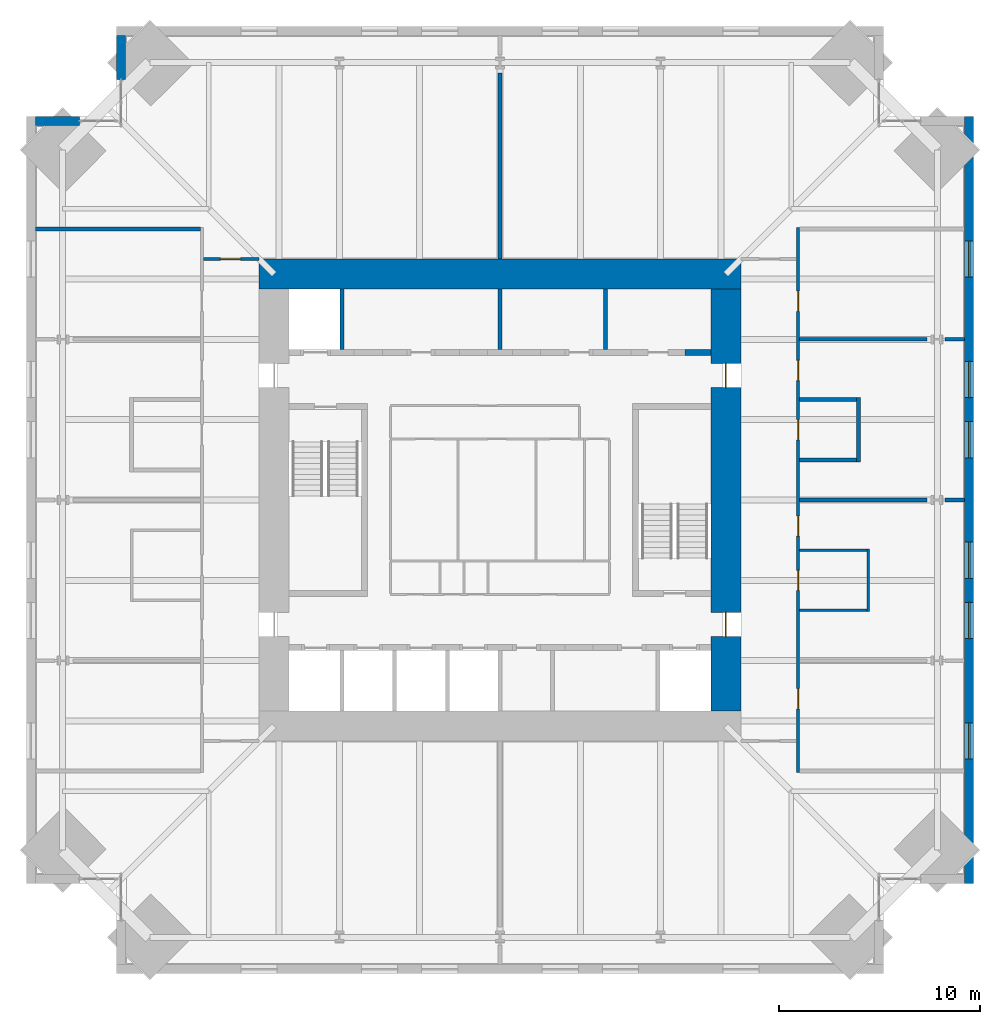
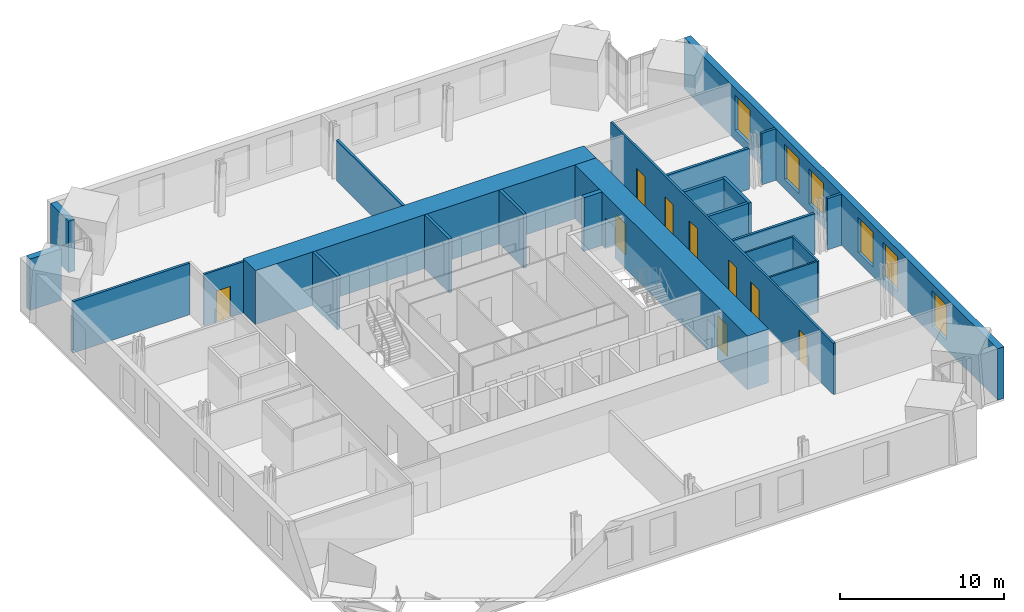
# One storey, part 13 of 15: 23 walls, 9 doors, 6 windows, 15 openings.
"""IFC4 building model written with IfcOpenShell, lengths in metres."""

from ifc_helpers import new_model, si_unit, direction, frame, frame_2d, origin, place, context, subcontext, project, spatial, rectangle, extrude, material, layer, layer_set, type_object, element, fill, save


model = new_model("IFC4")

# Units and contexts
model_context = context("Model", 3, precision=1e-05, world=origin(), true_north=direction((0.0, 1.0)))
body_context = subcontext(model_context, "Body", "Model", "MODEL_VIEW")
ifc_project = project(units=[si_unit("LENGTHUNIT", "METRE"), si_unit("AREAUNIT", "SQUARE_METRE"), si_unit("VOLUMEUNIT", "CUBIC_METRE"), si_unit("PLANEANGLEUNIT", "RADIAN"), si_unit("MASSUNIT", "GRAM", prefix="KILO")], contexts=[model_context])

# Site, building, storey
site_placement = place(None, origin())
site = spatial("IfcSite", under=ifc_project, at=site_placement, CompositionType="ELEMENT")
building_placement = place(site_placement, origin())
building = spatial("IfcBuilding", under=site, at=building_placement, Name="Peilmerk Tower", CompositionType="ELEMENT")
storey_placement = place(building_placement, frame((0.0, 0.0, 225.800048828125)))
storey = spatial("IfcBuildingStorey", under=building, at=storey_placement, Name="L49", CompositionType="ELEMENT", Elevation=225.800048828125)

# Wall, openings, windows
ifc_material_1 = material(Name="Precast concrete C45/55, board-marked finish", Category="concrete")
ifc_layer_1 = layer(ifc_material_1, 0.449951171875)
ifc_layer_set_1 = layer_set([ifc_layer_1], Name="Precast concrete C45/55, board-marked finish")
wall_type_1 = type_object("IfcWallType", Name="EW1 450 precast concrete facade wall, board-marked", PredefinedType="SOLIDWALL", material=ifc_layer_set_1)
wall_1_placement = place(storey_placement, frame((23.375, -19.10009765625, 0.0), z_axis=(0.0, 0.0, 1.0), x_axis=(0.0, 1.0, 0.0)))
wall_1 = element("IfcWall", 1, at=wall_1_placement, inside=storey, type_object=wall_type_1, Name="Facade wall E L49", PredefinedType="SOLIDWALL", context=body_context, shape_type="SweptSolid", body=[
    extrude(rectangle(XDim=38.2001953125, YDim=0.449951171875, at=frame_2d((19.10009765625, 0.0))), origin(), (0.0, 0.0, 1.0), 3.829833984375),
])
opening_1_placement = place(wall_1_placement, frame((6.199951171875, 0.0, 0.699951171875)))
opening_1 = element("IfcOpeningElement", 2, at=opening_1_placement, cuts=wall_1, Name="Opening W1", PredefinedType="OPENING", context=body_context, shape_type="SweptSolid", body=[
    extrude(rectangle(XDim=1.800048828125, YDim=2.60009765625, at=frame_2d((0.89990234375, 1.300048828125))), frame((0.0, 0.23486328125, 0.0), z_axis=(0.0, -1.0, 0.0), x_axis=(1.0, 0.0, 0.0)), (0.0, 0.0, 1.0), 0.469970703125),
])
opening_2_placement = place(wall_1_placement, frame((12.199951171875, 0.0, 0.699951171875)))
opening_2 = element("IfcOpeningElement", 3, at=opening_2_placement, cuts=wall_1, Name="Opening W1", PredefinedType="OPENING", context=body_context, shape_type="SweptSolid", body=[
    extrude(rectangle(XDim=1.800048828125, YDim=2.60009765625, at=frame_2d((0.89990234375, 1.300048828125))), frame((0.0, 0.23486328125, 0.0), z_axis=(0.0, -1.0, 0.0), x_axis=(1.0, 0.0, 0.0)), (0.0, 0.0, 1.0), 0.469970703125),
])
opening_3_placement = place(wall_1_placement, frame((15.199951171875, 0.0, 0.699951171875)))
opening_3 = element("IfcOpeningElement", 4, at=opening_3_placement, cuts=wall_1, Name="Opening W1", PredefinedType="OPENING", context=body_context, shape_type="SweptSolid", body=[
    extrude(rectangle(XDim=1.800048828125, YDim=2.60009765625, at=frame_2d((0.89990234375, 1.300048828125))), frame((0.0, 0.23486328125, 0.0), z_axis=(0.0, -1.0, 0.0), x_axis=(1.0, 0.0, 0.0)), (0.0, 0.0, 1.0), 0.469970703125),
])
opening_4_placement = place(wall_1_placement, frame((21.199951171875, 0.0, 0.699951171875)))
opening_4 = element("IfcOpeningElement", 5, at=opening_4_placement, cuts=wall_1, Name="Opening W1", PredefinedType="OPENING", context=body_context, shape_type="SweptSolid", body=[
    extrude(rectangle(XDim=1.800048828125, YDim=2.60009765625, at=frame_2d((0.89990234375, 1.300048828125))), frame((0.0, 0.23486328125, 0.0), z_axis=(0.0, -1.0, 0.0), x_axis=(1.0, 0.0, 0.0)), (0.0, 0.0, 1.0), 0.469970703125),
])
opening_5_placement = place(wall_1_placement, frame((24.199951171875, 0.0, 0.699951171875)))
opening_5 = element("IfcOpeningElement", 6, at=opening_5_placement, cuts=wall_1, Name="Opening W1", PredefinedType="OPENING", context=body_context, shape_type="SweptSolid", body=[
    extrude(rectangle(XDim=1.800048828125, YDim=2.60009765625, at=frame_2d((0.89990234375, 1.300048828125))), frame((0.0, 0.23486328125, 0.0), z_axis=(0.0, -1.0, 0.0), x_axis=(1.0, 0.0, 0.0)), (0.0, 0.0, 1.0), 0.469970703125),
])
opening_6_placement = place(wall_1_placement, frame((30.199951171875, 0.0, 0.699951171875)))
opening_6 = element("IfcOpeningElement", 7, at=opening_6_placement, cuts=wall_1, Name="Opening W1", PredefinedType="OPENING", context=body_context, shape_type="SweptSolid", body=[
    extrude(rectangle(XDim=1.800048828125, YDim=2.60009765625, at=frame_2d((0.89990234375, 1.300048828125))), frame((0.0, 0.23486328125, 0.0), z_axis=(0.0, -1.0, 0.0), x_axis=(1.0, 0.0, 0.0)), (0.0, 0.0, 1.0), 0.469970703125),
])
ifc_material_2 = material(Name="Aluminium frame, clear double glazing", Category="aluminium")
window_type = type_object("IfcWindowType", Name="W1 1800x2600 office window", PartitioningType="SINGLE_PANEL", PredefinedType="WINDOW", material=ifc_material_2)
window_1_placement = place(opening_1_placement, origin())
window_1 = element("IfcWindow", 8, at=window_1_placement, inside=storey, type_object=window_type, Name="Window W1 L49", OverallHeight=2.60009765625, OverallWidth=1.800048828125, PartitioningType="SINGLE_PANEL", PredefinedType="WINDOW", context=body_context, shape_type="SweptSolid", body=[
    extrude(rectangle(XDim=1.800048828125, YDim=2.60009765625, at=frame_2d((0.89990234375, 1.300048828125))), frame((0.0, 0.030029296875, 0.0), z_axis=(0.0, -1.0, 0.0), x_axis=(1.0, 0.0, 0.0)), (0.0, 0.0, 1.0), 0.06005859375),
])
fill(opening_1, window_1)
window_2_placement = place(opening_2_placement, origin())
window_2 = element("IfcWindow", 9, at=window_2_placement, inside=storey, type_object=window_type, Name="Window W1 L49", OverallHeight=2.60009765625, OverallWidth=1.800048828125, PartitioningType="SINGLE_PANEL", PredefinedType="WINDOW", context=body_context, shape_type="SweptSolid", body=[
    extrude(rectangle(XDim=1.800048828125, YDim=2.60009765625, at=frame_2d((0.89990234375, 1.300048828125))), frame((0.0, 0.030029296875, 0.0), z_axis=(0.0, -1.0, 0.0), x_axis=(1.0, 0.0, 0.0)), (0.0, 0.0, 1.0), 0.06005859375),
])
fill(opening_2, window_2)
window_3_placement = place(opening_3_placement, origin())
window_3 = element("IfcWindow", 10, at=window_3_placement, inside=storey, type_object=window_type, Name="Window W1 L49", OverallHeight=2.60009765625, OverallWidth=1.800048828125, PartitioningType="SINGLE_PANEL", PredefinedType="WINDOW", context=body_context, shape_type="SweptSolid", body=[
    extrude(rectangle(XDim=1.800048828125, YDim=2.60009765625, at=frame_2d((0.89990234375, 1.300048828125))), frame((0.0, 0.030029296875, 0.0), z_axis=(0.0, -1.0, 0.0), x_axis=(1.0, 0.0, 0.0)), (0.0, 0.0, 1.0), 0.06005859375),
])
fill(opening_3, window_3)
window_4_placement = place(opening_4_placement, origin())
window_4 = element("IfcWindow", 11, at=window_4_placement, inside=storey, type_object=window_type, Name="Window W1 L49", OverallHeight=2.60009765625, OverallWidth=1.800048828125, PartitioningType="SINGLE_PANEL", PredefinedType="WINDOW", context=body_context, shape_type="SweptSolid", body=[
    extrude(rectangle(XDim=1.800048828125, YDim=2.60009765625, at=frame_2d((0.89990234375, 1.300048828125))), frame((0.0, 0.030029296875, 0.0), z_axis=(0.0, -1.0, 0.0), x_axis=(1.0, 0.0, 0.0)), (0.0, 0.0, 1.0), 0.06005859375),
])
fill(opening_4, window_4)
window_5_placement = place(opening_5_placement, origin())
window_5 = element("IfcWindow", 12, at=window_5_placement, inside=storey, type_object=window_type, Name="Window W1 L49", OverallHeight=2.60009765625, OverallWidth=1.800048828125, PartitioningType="SINGLE_PANEL", PredefinedType="WINDOW", context=body_context, shape_type="SweptSolid", body=[
    extrude(rectangle(XDim=1.800048828125, YDim=2.60009765625, at=frame_2d((0.89990234375, 1.300048828125))), frame((0.0, 0.030029296875, 0.0), z_axis=(0.0, -1.0, 0.0), x_axis=(1.0, 0.0, 0.0)), (0.0, 0.0, 1.0), 0.06005859375),
])
fill(opening_5, window_5)
window_6_placement = place(opening_6_placement, origin())
window_6 = element("IfcWindow", 13, at=window_6_placement, inside=storey, type_object=window_type, Name="Window W1 L49", OverallHeight=2.60009765625, OverallWidth=1.800048828125, PartitioningType="SINGLE_PANEL", PredefinedType="WINDOW", context=body_context, shape_type="SweptSolid", body=[
    extrude(rectangle(XDim=1.800048828125, YDim=2.60009765625, at=frame_2d((0.89990234375, 1.300048828125))), frame((0.0, 0.030029296875, 0.0), z_axis=(0.0, -1.0, 0.0), x_axis=(1.0, 0.0, 0.0)), (0.0, 0.0, 1.0), 0.06005859375),
])
fill(opening_6, window_6)

# Walls
for number, where, z_axis, x_axis, name in (
    (14, (-18.875, 20.95361328125, 0.0), (0.0, 0.0, 1.0), (0.0, 1.0, 0.0), "Facade wall NWA L49"),
    (15, (-20.95361328125, 18.875, 0.0), (0.0, 0.0, 1.0), (-1.0, 0.0, 0.0), "Facade wall NWB L49"),
):
    element("IfcWall", number, at=place(storey_placement, frame(where, z_axis=z_axis, x_axis=x_axis)), inside=storey, type_object=wall_type_1, Name=name, PredefinedType="SOLIDWALL", context=body_context, shape_type="SweptSolid", body=[
        extrude(rectangle(XDim=2.1962890625, YDim=0.449951171875, at=frame_2d((1.09814453125, 0.0))), origin(), (0.0, 0.0, 1.0), 3.829833984375),
    ])

# Wall, openings, doors
ifc_material_3 = material(Name="Calcium silicate block", Category="masonry")
ifc_layer_2 = layer(ifc_material_3, 0.14990234375)
ifc_layer_set_2 = layer_set([ifc_layer_2], Name="Calcium silicate block")
wall_type_2 = type_object("IfcWallType", Name="IW1 150 corridor partition, EI 60", PredefinedType="PARTITIONING", material=ifc_layer_set_2)
wall_2_placement = place(storey_placement, frame((14.85009765625, -13.574951171875, 0.0), z_axis=(0.0, 0.0, 1.0), x_axis=(0.0, 1.0, 0.0)))
wall_2 = element("IfcWall", 16, at=wall_2_placement, inside=storey, type_object=wall_type_2, Name="Corridor wall E L49", PredefinedType="PARTITIONING", context=body_context, shape_type="SweptSolid", body=[
    extrude(rectangle(XDim=27.14990234375, YDim=0.14990234375, at=frame_2d((13.574951171875, 0.0))), origin(), (0.0, 0.0, 1.0), 3.829833984375),
])
opening_7_placement = place(wall_2_placement, frame((3.175048828125, 0.0, 0.0)))
opening_7 = element("IfcOpeningElement", 17, at=opening_7_placement, cuts=wall_2, Name="Opening D1", PredefinedType="OPENING", context=body_context, shape_type="SweptSolid", body=[
    extrude(rectangle(XDim=1.0, YDim=2.300048828125, at=frame_2d((0.5, 1.14990234375))), frame((0.0, 0.0849609375, 0.0), z_axis=(0.0, -1.0, 0.0), x_axis=(1.0, 0.0, 0.0)), (0.0, 0.0, 1.0), 0.169921875),
])
opening_8_placement = place(wall_2_placement, frame((11.77490234375, 0.0, 0.0)))
opening_8 = element("IfcOpeningElement", 18, at=opening_8_placement, cuts=wall_2, Name="Opening D1", PredefinedType="OPENING", context=body_context, shape_type="SweptSolid", body=[
    extrude(rectangle(XDim=1.0, YDim=2.300048828125, at=frame_2d((0.5, 1.14990234375))), frame((0.0, 0.0849609375, 0.0), z_axis=(0.0, -1.0, 0.0), x_axis=(1.0, 0.0, 0.0)), (0.0, 0.0, 1.0), 0.169921875),
])
opening_9_placement = place(wall_2_placement, frame((19.52490234375, 0.0, 0.0)))
opening_9 = element("IfcOpeningElement", 19, at=opening_9_placement, cuts=wall_2, Name="Opening D1", PredefinedType="OPENING", context=body_context, shape_type="SweptSolid", body=[
    extrude(rectangle(XDim=1.0, YDim=2.300048828125, at=frame_2d((0.5, 1.14990234375))), frame((0.0, 0.0849609375, 0.0), z_axis=(0.0, -1.0, 0.0), x_axis=(1.0, 0.0, 0.0)), (0.0, 0.0, 1.0), 0.169921875),
])
opening_10_placement = place(wall_2_placement, frame((22.97509765625, 0.0, 0.0)))
opening_10 = element("IfcOpeningElement", 20, at=opening_10_placement, cuts=wall_2, Name="Opening D1", PredefinedType="OPENING", context=body_context, shape_type="SweptSolid", body=[
    extrude(rectangle(XDim=1.0, YDim=2.300048828125, at=frame_2d((0.5, 1.14990234375))), frame((0.0, 0.0849609375, 0.0), z_axis=(0.0, -1.0, 0.0), x_axis=(1.0, 0.0, 0.0)), (0.0, 0.0, 1.0), 0.169921875),
])
opening_11_placement = place(wall_2_placement, frame((16.574951171875, 0.0, 0.0)))
opening_11 = element("IfcOpeningElement", 21, at=opening_11_placement, cuts=wall_2, Name="Opening D1", PredefinedType="OPENING", context=body_context, shape_type="SweptSolid", body=[
    extrude(rectangle(XDim=1.0, YDim=2.300048828125, at=frame_2d((0.5, 1.14990234375))), frame((0.0, 0.0849609375, 0.0), z_axis=(0.0, -1.0, 0.0), x_axis=(1.0, 0.0, 0.0)), (0.0, 0.0, 1.0), 0.169921875),
])
opening_12_placement = place(wall_2_placement, frame((9.074951171875, 0.0, 0.0)))
opening_12 = element("IfcOpeningElement", 22, at=opening_12_placement, cuts=wall_2, Name="Opening D1", PredefinedType="OPENING", context=body_context, shape_type="SweptSolid", body=[
    extrude(rectangle(XDim=1.0, YDim=2.300048828125, at=frame_2d((0.5, 1.14990234375))), frame((0.0, 0.0849609375, 0.0), z_axis=(0.0, -1.0, 0.0), x_axis=(1.0, 0.0, 0.0)), (0.0, 0.0, 1.0), 0.169921875),
])
ifc_material_4 = material(Name="Timber door in steel frame", Category="steel")
door_type_1 = type_object("IfcDoorType", Name="D1 1000x2300 room door, EI2 30", OperationType="SINGLE_SWING_LEFT", PredefinedType="DOOR", material=ifc_material_4)
door_1_placement = place(opening_7_placement, frame((1.0, 0.0, 0.0), z_axis=(0.0, 0.0, 1.0), x_axis=(-1.0, 0.0, 0.0)))
door_1 = element("IfcDoor", 23, at=door_1_placement, inside=storey, type_object=door_type_1, Name="Door Office L49", OperationType="SINGLE_SWING_LEFT", OverallHeight=2.300048828125, OverallWidth=1.0, PredefinedType="DOOR", context=body_context, shape_type="SweptSolid", body=[
    extrude(rectangle(XDim=1.0, YDim=2.300048828125, at=frame_2d((0.5, 1.14990234375))), frame((0.0, 0.02490234375, 0.0), z_axis=(0.0, -1.0, 0.0), x_axis=(1.0, 0.0, 0.0)), (0.0, 0.0, 1.0), 0.050048828125),
])
fill(opening_7, door_1)
door_2_placement = place(opening_8_placement, frame((1.0, 0.0, 0.0), z_axis=(0.0, 0.0, 1.0), x_axis=(-1.0, 0.0, 0.0)))
door_2 = element("IfcDoor", 24, at=door_2_placement, inside=storey, type_object=door_type_1, Name="Door Office L49", OperationType="SINGLE_SWING_LEFT", OverallHeight=2.300048828125, OverallWidth=1.0, PredefinedType="DOOR", context=body_context, shape_type="SweptSolid", body=[
    extrude(rectangle(XDim=1.0, YDim=2.300048828125, at=frame_2d((0.5, 1.14990234375))), frame((0.0, 0.02490234375, 0.0), z_axis=(0.0, -1.0, 0.0), x_axis=(1.0, 0.0, 0.0)), (0.0, 0.0, 1.0), 0.050048828125),
])
fill(opening_8, door_2)
door_3_placement = place(opening_9_placement, frame((1.0, 0.0, 0.0), z_axis=(0.0, 0.0, 1.0), x_axis=(-1.0, 0.0, 0.0)))
door_3 = element("IfcDoor", 25, at=door_3_placement, inside=storey, type_object=door_type_1, Name="Door Office L49", OperationType="SINGLE_SWING_LEFT", OverallHeight=2.300048828125, OverallWidth=1.0, PredefinedType="DOOR", context=body_context, shape_type="SweptSolid", body=[
    extrude(rectangle(XDim=1.0, YDim=2.300048828125, at=frame_2d((0.5, 1.14990234375))), frame((0.0, 0.02490234375, 0.0), z_axis=(0.0, -1.0, 0.0), x_axis=(1.0, 0.0, 0.0)), (0.0, 0.0, 1.0), 0.050048828125),
])
fill(opening_9, door_3)
door_4_placement = place(opening_10_placement, frame((1.0, 0.0, 0.0), z_axis=(0.0, 0.0, 1.0), x_axis=(-1.0, 0.0, 0.0)))
door_4 = element("IfcDoor", 26, at=door_4_placement, inside=storey, type_object=door_type_1, Name="Door Meeting room L49", OperationType="SINGLE_SWING_LEFT", OverallHeight=2.300048828125, OverallWidth=1.0, PredefinedType="DOOR", context=body_context, shape_type="SweptSolid", body=[
    extrude(rectangle(XDim=1.0, YDim=2.300048828125, at=frame_2d((0.5, 1.14990234375))), frame((0.0, 0.02490234375, 0.0), z_axis=(0.0, -1.0, 0.0), x_axis=(1.0, 0.0, 0.0)), (0.0, 0.0, 1.0), 0.050048828125),
])
fill(opening_10, door_4)
door_5_placement = place(opening_11_placement, frame((1.0, 0.0, 0.0), z_axis=(0.0, 0.0, 1.0), x_axis=(-1.0, 0.0, 0.0)))
door_5 = element("IfcDoor", 27, at=door_5_placement, inside=storey, type_object=door_type_1, Name="Door Print room L49", OperationType="SINGLE_SWING_LEFT", OverallHeight=2.300048828125, OverallWidth=1.0, PredefinedType="DOOR", context=body_context, shape_type="SweptSolid", body=[
    extrude(rectangle(XDim=1.0, YDim=2.300048828125, at=frame_2d((0.5, 1.14990234375))), frame((0.0, 0.02490234375, 0.0), z_axis=(0.0, -1.0, 0.0), x_axis=(1.0, 0.0, 0.0)), (0.0, 0.0, 1.0), 0.050048828125),
])
fill(opening_11, door_5)
door_6_placement = place(opening_12_placement, frame((1.0, 0.0, 0.0), z_axis=(0.0, 0.0, 1.0), x_axis=(-1.0, 0.0, 0.0)))
door_6 = element("IfcDoor", 28, at=door_6_placement, inside=storey, type_object=door_type_1, Name="Door Focus room L49", OperationType="SINGLE_SWING_LEFT", OverallHeight=2.300048828125, OverallWidth=1.0, PredefinedType="DOOR", context=body_context, shape_type="SweptSolid", body=[
    extrude(rectangle(XDim=1.0, YDim=2.300048828125, at=frame_2d((0.5, 1.14990234375))), frame((0.0, 0.02490234375, 0.0), z_axis=(0.0, -1.0, 0.0), x_axis=(1.0, 0.0, 0.0)), (0.0, 0.0, 1.0), 0.050048828125),
])
fill(opening_12, door_6)

# Wall, opening, door
wall_3_placement = place(storey_placement, frame((-14.77490234375, 12.0, 0.0), z_axis=(0.0, 0.0, 1.0), x_axis=(1.0, 0.0, 0.0)))
wall_3 = element("IfcWall", 29, at=wall_3_placement, inside=storey, type_object=wall_type_2, Name="Corridor wall NW L49", PredefinedType="PARTITIONING", context=body_context, shape_type="SweptSolid", body=[
    extrude(rectangle(XDim=2.77490234375, YDim=0.14990234375, at=frame_2d((1.387451171875, 0.0))), origin(), (0.0, 0.0, 1.0), 3.829833984375),
])
opening_13_placement = place(wall_3_placement, frame((0.85009765625, 0.0, 0.0)))
opening_13 = element("IfcOpeningElement", 30, at=opening_13_placement, cuts=wall_3, Name="Opening D1", PredefinedType="OPENING", context=body_context, shape_type="SweptSolid", body=[
    extrude(rectangle(XDim=1.0, YDim=2.300048828125, at=frame_2d((0.5, 1.14990234375))), frame((0.0, 0.0849609375, 0.0), z_axis=(0.0, -1.0, 0.0), x_axis=(1.0, 0.0, 0.0)), (0.0, 0.0, 1.0), 0.169921875),
])
door_7_placement = place(opening_13_placement, origin())
door_7 = element("IfcDoor", 31, at=door_7_placement, inside=storey, type_object=door_type_1, Name="Door Office L49", OperationType="SINGLE_SWING_LEFT", OverallHeight=2.300048828125, OverallWidth=1.0, PredefinedType="DOOR", context=body_context, shape_type="SweptSolid", body=[
    extrude(rectangle(XDim=1.0, YDim=2.300048828125, at=frame_2d((0.5, 1.14990234375))), frame((0.0, 0.02490234375, 0.0), z_axis=(0.0, -1.0, 0.0), x_axis=(1.0, 0.0, 0.0)), (0.0, 0.0, 1.0), 0.050048828125),
])
fill(opening_13, door_7)

# Walls
ifc_layer_3 = layer(ifc_material_3, 0.199951171875)
ifc_layer_set_3 = layer_set([ifc_layer_3], Name="Calcium silicate block")
wall_type_3 = type_object("IfcWallType", Name="IW2 200 room separating wall, EI 120", PredefinedType="PARTITIONING", material=ifc_layer_set_3)
wall_4_placement = place(storey_placement, frame((17.85009765625, 1.89990234375, 0.0), z_axis=(0.0, 0.0, 1.0), x_axis=(0.0, 1.0, 0.0)))
element("IfcWall", 32, at=wall_4_placement, inside=storey, type_object=wall_type_3, Name="Room separating wall Print room L49", PredefinedType="PARTITIONING", context=body_context, shape_type="SweptSolid", body=[
    extrude(rectangle(XDim=3.2001953125, YDim=0.199951171875, at=frame_2d((1.60009765625, 0.0))), origin(), (0.0, 0.0, 1.0), 3.829833984375),
])
for number, where, z_axis, x_axis, name in (
    (33, (14.925048828125, 2.0, 0.0), (0.0, 0.0, 1.0), (1.0, 0.0, 0.0), "Room separating wall Print room L49"),
    (34, (14.925048828125, 5.0, 0.0), (0.0, 0.0, 1.0), (1.0, 0.0, 0.0), "Room separating wall Print room L49"),
):
    element("IfcWall", number, at=place(storey_placement, frame(where, z_axis=z_axis, x_axis=x_axis)), inside=storey, type_object=wall_type_3, Name=name, PredefinedType="PARTITIONING", context=body_context, shape_type="SweptSolid", body=[
        extrude(rectangle(XDim=2.824951171875, YDim=0.199951171875, at=frame_2d((1.41259765625, 0.0))), origin(), (0.0, 0.0, 1.0), 3.829833984375),
    ])
ifc_material_5 = material(Name="Plasterboard on steel studs, double boarded with mineral wool", Category="steel")
ifc_layer_4 = layer(ifc_material_5, 0.125)
ifc_layer_set_4 = layer_set([ifc_layer_4], Name="Plasterboard on steel studs, double boarded with mineral wool")
wall_type_4 = type_object("IfcWallType", Name="IW7 125 acoustic partition, EI 30", PredefinedType="PARTITIONING", material=ifc_layer_set_4)
wall_5_placement = place(storey_placement, frame((18.35009765625, -5.5625, 0.0), z_axis=(0.0, 0.0, 1.0), x_axis=(0.0, 1.0, 0.0)))
element("IfcWall", 35, at=wall_5_placement, inside=storey, type_object=wall_type_4, Name="Acoustic partition Focus room L49", PredefinedType="PARTITIONING", context=body_context, shape_type="SweptSolid", body=[
    extrude(rectangle(XDim=3.125, YDim=0.125, at=frame_2d((1.5625, 0.0))), origin(), (0.0, 0.0, 1.0), 3.829833984375),
])
for number, where, z_axis, x_axis, name in (
    (36, (14.925048828125, -5.5, 0.0), (0.0, 0.0, 1.0), (1.0, 0.0, 0.0), "Acoustic partition Focus room L49"),
    (37, (14.925048828125, -2.5, 0.0), (0.0, 0.0, 1.0), (1.0, 0.0, 0.0), "Acoustic partition Focus room L49"),
):
    element("IfcWall", number, at=place(storey_placement, frame(where, z_axis=z_axis, x_axis=x_axis)), inside=storey, type_object=wall_type_4, Name=name, PredefinedType="PARTITIONING", context=body_context, shape_type="SweptSolid", body=[
        extrude(rectangle(XDim=3.362548828125, YDim=0.125, at=frame_2d((1.68115234375, 0.0))), origin(), (0.0, 0.0, 1.0), 3.829833984375),
    ])
ifc_layer_5 = layer(ifc_material_3, 0.175048828125)
ifc_layer_set_5 = layer_set([ifc_layer_5], Name="Calcium silicate block")
wall_type_5 = type_object("IfcWallType", Name="IW8 175 tenant separating wall, EI 60", PredefinedType="PARTITIONING", material=ifc_layer_set_5)
wall_6_placement = place(storey_placement, frame((-23.14990234375, 13.5, 0.0), z_axis=(0.0, 0.0, 1.0), x_axis=(1.0, 0.0, 0.0)))
element("IfcWall", 38, at=wall_6_placement, inside=storey, type_object=wall_type_5, Name="Tenant separating wall NW L49", PredefinedType="PARTITIONING", context=body_context, shape_type="SweptSolid", body=[
    extrude(rectangle(XDim=8.224853515625, YDim=0.175048828125, at=frame_2d((4.1123046875, 0.0))), origin(), (0.0, 0.0, 1.0), 3.829833984375),
])
wall_7_placement = place(storey_placement, frame((0.0, 12.0, 0.0), z_axis=(0.0, 0.0, 1.0), x_axis=(0.0, 1.0, 0.0)))
element("IfcWall", 39, at=wall_7_placement, inside=storey, type_object=wall_type_5, Name="Tenant separating wall N1 L49", PredefinedType="PARTITIONING", context=body_context, shape_type="SweptSolid", body=[
    extrude(rectangle(XDim=9.2666015625, YDim=0.175048828125, at=frame_2d((4.63330078125, 0.0))), origin(), (0.0, 0.0, 1.0), 3.0400390625),
])
wall_8_placement = place(storey_placement, frame((14.925048828125, 0.0, 0.0), z_axis=(0.0, 0.0, 1.0), x_axis=(1.0, 0.0, 0.0)))
element("IfcWall", 40, at=wall_8_placement, inside=storey, type_object=wall_type_5, Name="Tenant separating wall E2 L49", PredefinedType="PARTITIONING", context=body_context, shape_type="SweptSolid", body=[
    extrude(rectangle(XDim=6.341552734375, YDim=0.175048828125, at=frame_2d((3.1708984375, 0.0))), origin(), (0.0, 0.0, 1.0), 3.0400390625),
])
wall_9_placement = place(storey_placement, frame((22.156005859375, 0.0, 0.0), z_axis=(0.0, 0.0, 1.0), x_axis=(1.0, 0.0, 0.0)))
element("IfcWall", 41, at=wall_9_placement, inside=storey, type_object=wall_type_5, Name="Tenant separating wall E2b L49", PredefinedType="PARTITIONING", context=body_context, shape_type="SweptSolid", body=[
    extrude(rectangle(XDim=0.993896484375, YDim=0.175048828125, at=frame_2d((0.4970703125, 0.0))), origin(), (0.0, 0.0, 1.0), 3.829833984375),
])
wall_10_placement = place(storey_placement, frame((14.925048828125, 8.0, 0.0), z_axis=(0.0, 0.0, 1.0), x_axis=(1.0, 0.0, 0.0)))
element("IfcWall", 42, at=wall_10_placement, inside=storey, type_object=wall_type_5, Name="Tenant separating wall E3 L49", PredefinedType="PARTITIONING", context=body_context, shape_type="SweptSolid", body=[
    extrude(rectangle(XDim=6.341552734375, YDim=0.175048828125, at=frame_2d((3.1708984375, 0.0))), origin(), (0.0, 0.0, 1.0), 3.0400390625),
])
wall_11_placement = place(storey_placement, frame((22.156005859375, 8.0, 0.0), z_axis=(0.0, 0.0, 1.0), x_axis=(1.0, 0.0, 0.0)))
element("IfcWall", 43, at=wall_11_placement, inside=storey, type_object=wall_type_5, Name="Tenant separating wall E3b L49", PredefinedType="PARTITIONING", context=body_context, shape_type="SweptSolid", body=[
    extrude(rectangle(XDim=0.993896484375, YDim=0.175048828125, at=frame_2d((0.4970703125, 0.0))), origin(), (0.0, 0.0, 1.0), 3.829833984375),
])
ifc_layer_6 = layer(ifc_material_3, 0.199951171875)
ifc_layer_set_6 = layer_set([ifc_layer_6], Name="Calcium silicate block")
wall_type_6 = type_object("IfcWallType", Name="SH1 200 shaft dividing wall, EI 120", PredefinedType="PARTITIONING", material=ifc_layer_set_6)
for number, where, z_axis, x_axis, name in (
    (44, (-7.875, 7.5, 0.0), (0.0, 0.0, 1.0), (0.0, 1.0, 0.0), "Shaft wall N FL1 L49"),
    (45, (0.0, 7.5, 0.0), (0.0, 0.0, 1.0), (0.0, 1.0, 0.0), "Shaft wall N A3 L49"),
    (46, (5.25, 7.5, 0.0), (0.0, 0.0, 1.0), (0.0, 1.0, 0.0), "Shaft wall N S2 L49"),
):
    element("IfcWall", number, at=place(storey_placement, frame(where, z_axis=z_axis, x_axis=x_axis)), inside=storey, type_object=wall_type_6, Name=name, PredefinedType="PARTITIONING", context=body_context, shape_type="SweptSolid", body=[
        extrude(rectangle(XDim=3.0, YDim=0.199951171875, at=frame_2d((1.5, 0.0))), origin(), (0.0, 0.0, 1.0), 4.0),
    ])
ifc_material_6 = material(Name="Concrete C55/67", Category="concrete")
ifc_layer_7 = layer(ifc_material_6, 1.5)
ifc_layer_set_7 = layer_set([ifc_layer_7], Name="Concrete C55/67")
wall_type_7 = type_object("IfcWallType", Name="SW1 1500 core wall", PredefinedType="SHEAR", material=ifc_layer_set_7)
wall_12_placement = place(storey_placement, frame((-12.0, 11.25, 0.0), z_axis=(0.0, 0.0, 1.0), x_axis=(1.0, 0.0, 0.0)))
element("IfcWall", 47, at=wall_12_placement, inside=storey, type_object=wall_type_7, Name="Core wall N L49", PredefinedType="SHEAR", context=body_context, shape_type="SweptSolid", body=[
    extrude(rectangle(XDim=24.0, YDim=1.5, at=frame_2d((12.0, 0.0))), origin(), (0.0, 0.0, 1.0), 4.0),
])

# Wall, openings, doors
wall_13_placement = place(storey_placement, frame((11.25, 10.5, 0.0), z_axis=(0.0, 0.0, 1.0), x_axis=(0.0, -1.0, 0.0)))
wall_13 = element("IfcWall", 48, at=wall_13_placement, inside=storey, type_object=wall_type_7, Name="Core wall E L49", PredefinedType="SHEAR", context=body_context, shape_type="SweptSolid", body=[
    extrude(rectangle(XDim=21.0, YDim=1.5, at=frame_2d((10.5, 0.0))), origin(), (0.0, 0.0, 1.0), 4.0),
])
opening_14_placement = place(wall_13_placement, frame((3.699951171875, 0.0, 0.0)))
opening_14 = element("IfcOpeningElement", 49, at=opening_14_placement, cuts=wall_13, Name="Opening D3", PredefinedType="OPENING", context=body_context, shape_type="SweptSolid", body=[
    extrude(rectangle(XDim=1.199951171875, YDim=2.300048828125, at=frame_2d((0.60009765625, 1.14990234375))), frame((0.0, 0.760009765625, 0.0), z_axis=(0.0, -1.0, 0.0), x_axis=(1.0, 0.0, 0.0)), (0.0, 0.0, 1.0), 1.52001953125),
])
opening_15_placement = place(wall_13_placement, frame((16.10009765625, 0.0, 0.0)))
opening_15 = element("IfcOpeningElement", 50, at=opening_15_placement, cuts=wall_13, Name="Opening D3", PredefinedType="OPENING", context=body_context, shape_type="SweptSolid", body=[
    extrude(rectangle(XDim=1.199951171875, YDim=2.300048828125, at=frame_2d((0.60009765625, 1.14990234375))), frame((0.0, 0.760009765625, 0.0), z_axis=(0.0, -1.0, 0.0), x_axis=(1.0, 0.0, 0.0)), (0.0, 0.0, 1.0), 1.52001953125),
])
ifc_material_7 = material(Name="Steel door in steel frame", Category="steel")
door_type_2 = type_object("IfcDoorType", Name="D3 1200x2300 core door, EI2 60", OperationType="SINGLE_SWING_LEFT", PredefinedType="DOOR", material=ifc_material_7)
door_8_placement = place(opening_14_placement, frame((1.199951171875, 0.0, 0.0), z_axis=(0.0, 0.0, 1.0), x_axis=(-1.0, 0.0, 0.0)))
door_8 = element("IfcDoor", 51, at=door_8_placement, inside=storey, type_object=door_type_2, Name="Core door L49", OperationType="SINGLE_SWING_LEFT", OverallHeight=2.300048828125, OverallWidth=1.199951171875, PredefinedType="DOOR", context=body_context, shape_type="SweptSolid", body=[
    extrude(rectangle(XDim=1.199951171875, YDim=2.300048828125, at=frame_2d((0.60009765625, 1.14990234375))), frame((0.0, 0.02490234375, 0.0), z_axis=(0.0, -1.0, 0.0), x_axis=(1.0, 0.0, 0.0)), (0.0, 0.0, 1.0), 0.050048828125),
])
fill(opening_14, door_8)
door_9_placement = place(opening_15_placement, frame((1.199951171875, 0.0, 0.0), z_axis=(0.0, 0.0, 1.0), x_axis=(-1.0, 0.0, 0.0)))
door_9 = element("IfcDoor", 52, at=door_9_placement, inside=storey, type_object=door_type_2, Name="Core door L49", OperationType="SINGLE_SWING_LEFT", OverallHeight=2.300048828125, OverallWidth=1.199951171875, PredefinedType="DOOR", context=body_context, shape_type="SweptSolid", body=[
    extrude(rectangle(XDim=1.199951171875, YDim=2.300048828125, at=frame_2d((0.60009765625, 1.14990234375))), frame((0.0, 0.02490234375, 0.0), z_axis=(0.0, -1.0, 0.0), x_axis=(1.0, 0.0, 0.0)), (0.0, 0.0, 1.0), 0.050048828125),
])
fill(opening_15, door_9)

# Wall
ifc_layer_8 = layer(ifc_material_6, 0.300048828125)
ifc_layer_set_8 = layer_set([ifc_layer_8], Name="Concrete C55/67")
wall_type_8 = type_object("IfcWallType", Name="SW2 300 lift bank pier", PredefinedType="SHEAR", material=ifc_layer_set_8)
wall_14_placement = place(storey_placement, frame((9.22509765625, 7.35009765625, 0.0), z_axis=(0.0, 0.0, 1.0), x_axis=(1.0, 0.0, 0.0)))
element("IfcWall", 53, at=wall_14_placement, inside=storey, type_object=wall_type_8, Name="Lift bank pier N L49", PredefinedType="SHEAR", context=body_context, shape_type="SweptSolid", body=[
    extrude(rectangle(XDim=1.27490234375, YDim=0.300048828125, at=frame_2d((0.637451171875, 0.0))), origin(), (0.0, 0.0, 1.0), 4.0),
])

save(model, "model.ifc")
